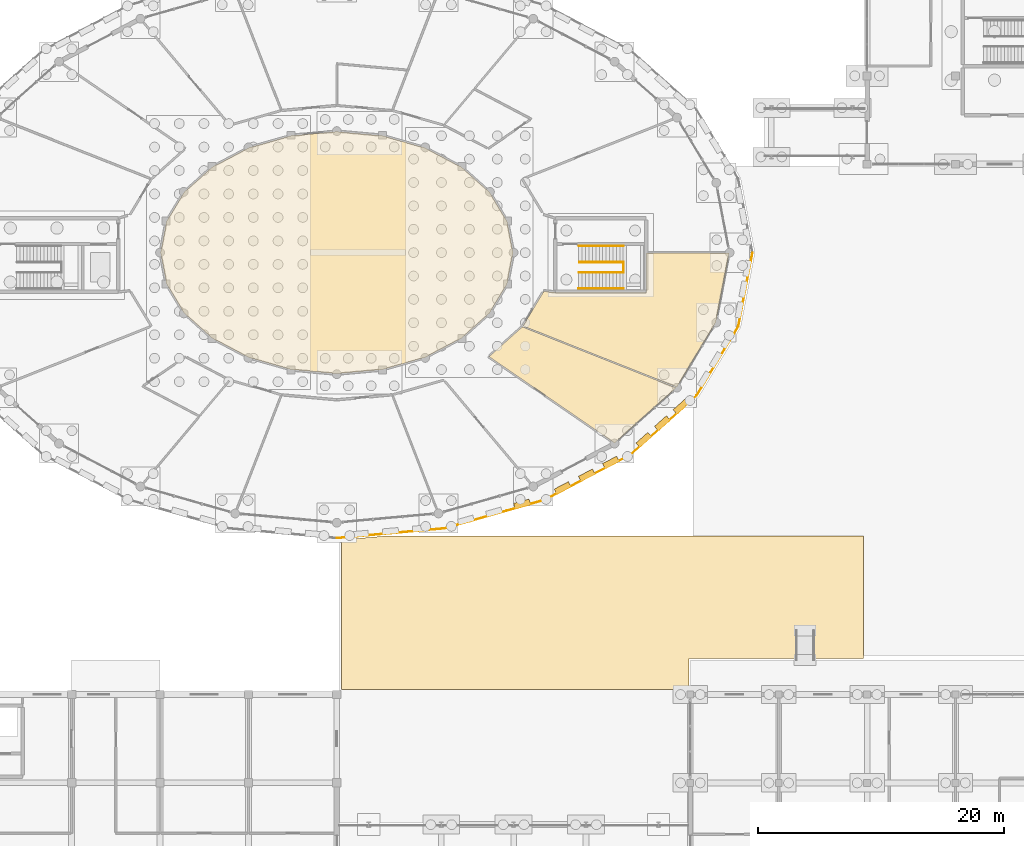
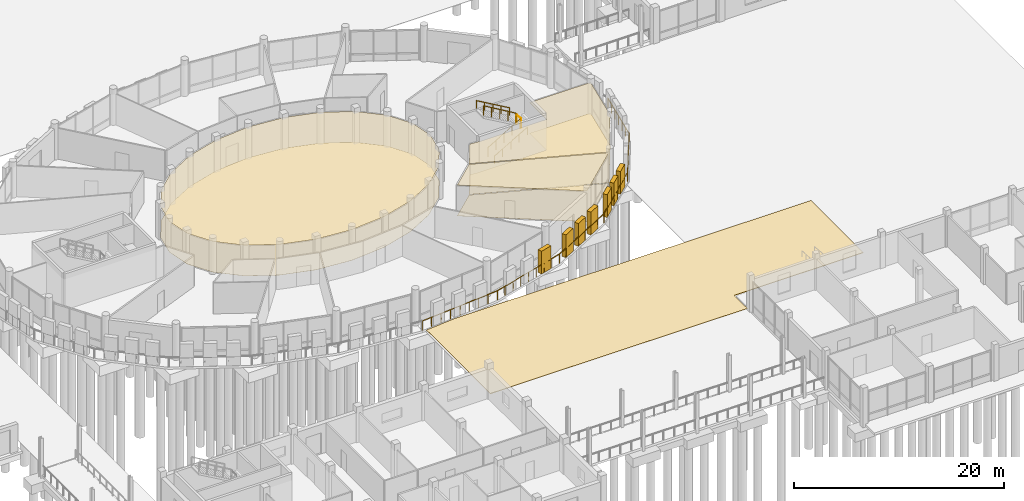
# One storey, part 92 of 98: 7 coverings, 7 shading devices, 6 railings.
"""IFC4 building model written with IfcOpenShell, lengths in metres."""

from ifc_helpers import new_model, si_unit, direction, frame, origin, origin_2d, place, context, subcontext, project, spatial, polyline, rectangle, circle, outline, extrude, material, layer, layer_set, type_object, element, save


model = new_model("IFC4")

# Units and contexts
model_context = context("Model", 3, precision=1e-05, world=origin(), true_north=direction((0.0, 1.0)))
body_context = subcontext(model_context, "Body", "Model", "MODEL_VIEW")
ifc_project = project(units=[si_unit("LENGTHUNIT", "METRE"), si_unit("AREAUNIT", "SQUARE_METRE"), si_unit("VOLUMEUNIT", "CUBIC_METRE"), si_unit("PLANEANGLEUNIT", "RADIAN"), si_unit("MASSUNIT", "GRAM", prefix="KILO")], contexts=[model_context])

# Site, building, storey
site_placement = place(None, origin())
site = spatial("IfcSite", under=ifc_project, at=site_placement, CompositionType="ELEMENT")
building_placement = place(site_placement, origin())
building = spatial("IfcBuilding", under=site, at=building_placement, Name="Zornivar Specialist Clinic", CompositionType="ELEMENT")
storey_placement = place(building_placement, origin())
storey = spatial("IfcBuildingStorey", under=building, at=storey_placement, Name="L00", CompositionType="ELEMENT", Elevation=0.0)

# Coverings
ifc_material_1 = material(Name="Washable Acoustic Mineral Clinical Ceiling")
ifc_layer_1 = layer(ifc_material_1, 0.01806640625)
ifc_layer_set_1 = layer_set([ifc_layer_1], Name="Washable Acoustic Mineral Clinical Ceiling")
covering_type_1 = type_object("IfcCoveringType", Name="COV-CEIL-CLIN-18", PredefinedType="CEILING", material=ifc_layer_set_1)
covering_1_placement = place(storey_placement, frame((0.0, 0.0, 3.572021484375)))
element("IfcCovering", 1, at=covering_1_placement, inside=storey, type_object=covering_type_1, Name="ceil:space:V1:L00:hall", PredefinedType="CEILING", context=body_context, shape_type="SweptSolid", body=[
    extrude(outline(polyline([(107.958984375, 57.60009765625), (107.470947265625, 55.052978515625), (106.0400390625, 52.676025390625), (103.759033203125, 50.633056640625), (100.784912109375, 49.06298828125), (97.320068359375, 48.075927734375), (93.60009765625, 47.739990234375), (89.8798828125, 48.075927734375), (86.4150390625, 49.06298828125), (83.44091796875, 50.633056640625), (81.159912109375, 52.676025390625), (79.72900390625, 55.052978515625), (79.240966796875, 57.60009765625), (79.72900390625, 60.14697265625), (81.159912109375, 62.52392578125), (83.44091796875, 64.56689453125), (86.4150390625, 66.136962890625), (89.8798828125, 67.1240234375), (93.60009765625, 67.4599609375), (97.320068359375, 67.1240234375), (100.784912109375, 66.136962890625), (103.759033203125, 64.56689453125), (106.0400390625, 62.52392578125), (107.470947265625, 60.14697265625), (107.958984375, 57.60009765625)])), origin(), (0.0, 0.0, 1.0), 0.01806640625),
])
covering_2_placement = place(storey_placement, frame((0.0, 0.0, 3.572021484375)))
element("IfcCovering", 2, at=covering_2_placement, inside=storey, type_object=covering_type_1, Name="ceil:space:V1:L00:rm:14", PredefinedType="CEILING", context=body_context, shape_type="SweptSolid", body=[
    extrude(outline(polyline([(121.238037109375, 46.5869140625), (116.22412109375, 42.094970703125), (105.9970703125, 49.1259765625), (108.7119140625, 51.55908203125), (121.238037109375, 46.5869140625)])), origin(), (0.0, 0.0, 1.0), 0.01806640625),
])
covering_3_placement = place(storey_placement, frame((0.0, 0.0, 3.572021484375)))
element("IfcCovering", 3, at=covering_3_placement, inside=storey, type_object=covering_type_1, Name="ceil:space:V1:L00:rm:15", PredefinedType="CEILING", context=body_context, shape_type="SweptSolid", body=[
    extrude(outline(polyline([(110.467041015625, 54.455078125), (111.39794921875, 54.360107421875), (118.840087890625, 54.360107421875), (118.840087890625, 57.56005859375), (125.552001953125, 57.56005859375), (124.471923828125, 51.9208984375), (121.2958984375, 46.64990234375), (108.762939453125, 51.625), (110.467041015625, 54.455078125)])), origin(), (0.0, 0.0, 1.0), 0.01806640625),
])
ifc_material_2 = material(Name="Homogeneous Anti-Static Clinical Vinyl Flooring")
ifc_layer_2 = layer(ifc_material_2, 0.011962890625)
ifc_layer_set_2 = layer_set([ifc_layer_2], Name="Homogeneous Anti-Static Clinical Vinyl Flooring")
covering_type_2 = type_object("IfcCoveringType", Name="COV-FLR-VINYL-12", PredefinedType="FLOORING", material=ifc_layer_set_2)
covering_4_placement = place(storey_placement, origin())
element("IfcCovering", 4, at=covering_4_placement, inside=storey, type_object=covering_type_2, Name="flr:space:V1:L00:hall", PredefinedType="FLOORING", context=body_context, shape_type="SweptSolid", body=[
    extrude(outline(polyline([(107.958984375, 57.60009765625), (107.470947265625, 55.052978515625), (106.0400390625, 52.676025390625), (103.759033203125, 50.633056640625), (100.784912109375, 49.06298828125), (97.320068359375, 48.075927734375), (93.60009765625, 47.739990234375), (89.8798828125, 48.075927734375), (86.4150390625, 49.06298828125), (83.44091796875, 50.633056640625), (81.159912109375, 52.676025390625), (79.72900390625, 55.052978515625), (79.240966796875, 57.60009765625), (79.72900390625, 60.14697265625), (81.159912109375, 62.52392578125), (83.44091796875, 64.56689453125), (86.4150390625, 66.136962890625), (89.8798828125, 67.1240234375), (93.60009765625, 67.4599609375), (97.320068359375, 67.1240234375), (100.784912109375, 66.136962890625), (103.759033203125, 64.56689453125), (106.0400390625, 62.52392578125), (107.470947265625, 60.14697265625), (107.958984375, 57.60009765625)])), origin(), (0.0, 0.0, 1.0), 0.011962890625),
])
covering_5_placement = place(storey_placement, origin())
element("IfcCovering", 5, at=covering_5_placement, inside=storey, type_object=covering_type_2, Name="flr:space:V1:L00:rm:14", PredefinedType="FLOORING", context=body_context, shape_type="SweptSolid", body=[
    extrude(outline(polyline([(121.238037109375, 46.5869140625), (116.22412109375, 42.094970703125), (105.9970703125, 49.1259765625), (108.7119140625, 51.55908203125), (121.238037109375, 46.5869140625)])), origin(), (0.0, 0.0, 1.0), 0.011962890625),
])
covering_6_placement = place(storey_placement, origin())
element("IfcCovering", 6, at=covering_6_placement, inside=storey, type_object=covering_type_2, Name="flr:space:V1:L00:rm:15", PredefinedType="FLOORING", context=body_context, shape_type="SweptSolid", body=[
    extrude(outline(polyline([(110.467041015625, 54.455078125), (111.39794921875, 54.360107421875), (118.840087890625, 54.360107421875), (118.840087890625, 57.56005859375), (125.552001953125, 57.56005859375), (124.471923828125, 51.9208984375), (121.2958984375, 46.64990234375), (108.762939453125, 51.625), (110.467041015625, 54.455078125)])), origin(), (0.0, 0.0, 1.0), 0.011962890625),
])
ifc_material_3 = material(Name="Bush-Hammered Vratsa Limestone Courtyard Paving", Category="masonry")
ifc_layer_3 = layer(ifc_material_3, 0.06005859375)
ifc_layer_set_3 = layer_set([ifc_layer_3], Name="Bush-Hammered Vratsa Limestone Courtyard Paving")
covering_type_3 = type_object("IfcCoveringType", Name="COV-PAVING-STONE-60", PredefinedType="USERDEFINED", material=ifc_layer_set_3)
covering_7_placement = place(storey_placement, frame((0.0, 0.0, -0.06005859375)))
element("IfcCovering", 7, at=covering_7_placement, inside=storey, type_object=covering_type_3, Name="cov:paving:L00:5:drum_east_terrace", ObjectType="PAVING", PredefinedType="USERDEFINED", context=body_context, shape_type="SweptSolid", body=[
    extrude(outline(polyline([(94.0, 34.196044921875), (97.360107421875, 34.5), (136.5, 34.5), (136.5, 24.52001953125), (122.280029296875, 24.52001953125), (122.280029296875, 22.0), (94.0, 22.0), (94.0, 34.196044921875)])), origin(), (0.0, 0.0, 1.0), 0.06005859375),
])

# Railings
ifc_material_4 = material(Name="Painted Steel and Oiled Timber Balustrade", Category="steel")
railing_type_1 = type_object("IfcRailingType", Name="GRD-EXT-BALUST-1100", PredefinedType="BALUSTRADE", material=ifc_material_4)
railing_1_placement = place(storey_placement, frame((93.6298828125, 34.343017578125, 0.0)))
element("IfcRailing", 8, at=railing_1_placement, inside=storey, type_object=railing_type_1, Name="rail:V1:L00:balc:q3", PredefinedType="BALUSTRADE", context=body_context, shape_type="SweptSolid", body=[
    extrude(circle(Radius=0.02392578125, at=origin_2d()), frame((0.0, 0.0, 1.076171875), z_axis=(0.995947380316, 0.089937843218, 0.0), x_axis=(-0.089937843218, 0.995947380316, 0.0)), (0.0, 0.0, 1.0), 8.762451171875),
    extrude(circle(Radius=0.02392578125, at=origin_2d()), frame((8.72705078125, 0.7880859375, 1.076171875), z_axis=(0.961950479971, 0.273223853432, 0.0), x_axis=(-0.273223853432, 0.961950479971, 0.0)), (0.0, 0.0, 1.0), 8.487060546875),
    extrude(circle(Radius=0.02392578125, at=origin_2d()), frame((16.89111328125, 3.10693359375, 1.076171875), z_axis=(0.884811989173, 0.465948220101, 0.0), x_axis=(-0.465948220101, 0.884811989173, 0.0)), (0.0, 0.0, 1.0), 7.92822265625),
    extrude(circle(Radius=0.02392578125, at=origin_2d()), frame((23.906005859375, 6.801025390625, 1.076171875), z_axis=(0.745201542332, 0.666839306959, 0.0), x_axis=(-0.666839306959, 0.745201542332, 0.0)), (0.0, 0.0, 1.0), 7.224853515625),
    extrude(circle(Radius=0.02392578125, at=origin_2d()), frame((29.2900390625, 11.618896484375, 1.076171875), z_axis=(0.516422508188, 0.856333926127, 0.0), x_axis=(-0.856333926127, 0.516422508188, 0.0)), (0.0, 0.0, 1.0), 6.5546875),
    extrude(circle(Radius=0.02392578125, at=origin_2d()), frame((32.675048828125, 17.23193359375, 1.076171875), z_axis=(0.188227386656, 0.982125476155, 0.0), x_axis=(-0.982125476155, 0.188227386656, 0.0)), (0.0, 0.0, 1.0), 6.105224609375),
    extrude(circle(Radius=0.02099609375, at=origin_2d()), origin(), (0.0, 0.0, 1.0), 1.052001953125),
    extrude(circle(Radius=0.02099609375, at=origin_2d()), frame((1.0908203125, 0.0986328125, 0.0)), (0.0, 0.0, 1.0), 1.052001953125),
    extrude(circle(Radius=0.02099609375, at=origin_2d()), frame((2.181640625, 0.197021484375, 0.0)), (0.0, 0.0, 1.0), 1.052001953125),
    extrude(circle(Radius=0.02099609375, at=origin_2d()), frame((3.272705078125, 0.29541015625, 0.0)), (0.0, 0.0, 1.0), 1.052001953125),
    extrude(circle(Radius=0.02099609375, at=origin_2d()), frame((4.363525390625, 0.39404296875, 0.0)), (0.0, 0.0, 1.0), 1.052001953125),
    extrude(circle(Radius=0.02099609375, at=origin_2d()), frame((5.454345703125, 0.49267578125, 0.0)), (0.0, 0.0, 1.0), 1.052001953125),
    extrude(circle(Radius=0.02099609375, at=origin_2d()), frame((6.54541015625, 0.591064453125, 0.0)), (0.0, 0.0, 1.0), 1.052001953125),
    extrude(circle(Radius=0.02099609375, at=origin_2d()), frame((7.63623046875, 0.689453125, 0.0)), (0.0, 0.0, 1.0), 1.052001953125),
    extrude(circle(Radius=0.02099609375, at=origin_2d()), frame((8.72705078125, 0.7880859375, 0.0)), (0.0, 0.0, 1.0), 1.052001953125),
    extrude(circle(Radius=0.02099609375, at=origin_2d()), frame((9.74755859375, 1.077880859375, 0.0)), (0.0, 0.0, 1.0), 1.052001953125),
    extrude(circle(Radius=0.02099609375, at=origin_2d()), frame((10.76806640625, 1.36767578125, 0.0)), (0.0, 0.0, 1.0), 1.052001953125),
    extrude(circle(Radius=0.02099609375, at=origin_2d()), frame((11.78857421875, 1.65771484375, 0.0)), (0.0, 0.0, 1.0), 1.052001953125),
    extrude(circle(Radius=0.02099609375, at=origin_2d()), frame((12.80908203125, 1.947509765625, 0.0)), (0.0, 0.0, 1.0), 1.052001953125),
    extrude(circle(Radius=0.02099609375, at=origin_2d()), frame((13.82958984375, 2.2373046875, 0.0)), (0.0, 0.0, 1.0), 1.052001953125),
    extrude(circle(Radius=0.02099609375, at=origin_2d()), frame((14.85009765625, 2.52734375, 0.0)), (0.0, 0.0, 1.0), 1.052001953125),
    extrude(circle(Radius=0.02099609375, at=origin_2d()), frame((15.87060546875, 2.817138671875, 0.0)), (0.0, 0.0, 1.0), 1.052001953125),
    extrude(circle(Radius=0.02099609375, at=origin_2d()), frame((16.89111328125, 3.10693359375, 0.0)), (0.0, 0.0, 1.0), 1.052001953125),
    extrude(circle(Radius=0.02099609375, at=origin_2d()), frame((17.893310546875, 3.634765625, 0.0)), (0.0, 0.0, 1.0), 1.052001953125),
    extrude(circle(Radius=0.02099609375, at=origin_2d()), frame((18.895263671875, 4.162353515625, 0.0)), (0.0, 0.0, 1.0), 1.052001953125),
    extrude(circle(Radius=0.02099609375, at=origin_2d()), frame((19.8974609375, 4.690185546875, 0.0)), (0.0, 0.0, 1.0), 1.052001953125),
    extrude(circle(Radius=0.02099609375, at=origin_2d()), frame((20.899658203125, 5.2177734375, 0.0)), (0.0, 0.0, 1.0), 1.052001953125),
    extrude(circle(Radius=0.02099609375, at=origin_2d()), frame((21.90185546875, 5.74560546875, 0.0)), (0.0, 0.0, 1.0), 1.052001953125),
    extrude(circle(Radius=0.02099609375, at=origin_2d()), frame((22.90380859375, 6.273193359375, 0.0)), (0.0, 0.0, 1.0), 1.052001953125),
    extrude(circle(Radius=0.02099609375, at=origin_2d()), frame((23.906005859375, 6.801025390625, 0.0)), (0.0, 0.0, 1.0), 1.052001953125),
    extrude(circle(Radius=0.02099609375, at=origin_2d()), frame((24.675048828125, 7.4892578125, 0.0)), (0.0, 0.0, 1.0), 1.052001953125),
    extrude(circle(Radius=0.02099609375, at=origin_2d()), frame((25.4443359375, 8.177490234375, 0.0)), (0.0, 0.0, 1.0), 1.052001953125),
    extrude(circle(Radius=0.02099609375, at=origin_2d()), frame((26.21337890625, 8.86572265625, 0.0)), (0.0, 0.0, 1.0), 1.052001953125),
    extrude(circle(Radius=0.02099609375, at=origin_2d()), frame((26.982666015625, 9.55419921875, 0.0)), (0.0, 0.0, 1.0), 1.052001953125),
    extrude(circle(Radius=0.02099609375, at=origin_2d()), frame((27.751708984375, 10.242431640625, 0.0)), (0.0, 0.0, 1.0), 1.052001953125),
    extrude(circle(Radius=0.02099609375, at=origin_2d()), frame((28.52099609375, 10.9306640625, 0.0)), (0.0, 0.0, 1.0), 1.052001953125),
    extrude(circle(Radius=0.02099609375, at=origin_2d()), frame((29.2900390625, 11.618896484375, 0.0)), (0.0, 0.0, 1.0), 1.052001953125),
    extrude(circle(Radius=0.02099609375, at=origin_2d()), frame((29.854248046875, 12.554443359375, 0.0)), (0.0, 0.0, 1.0), 1.052001953125),
    extrude(circle(Radius=0.02099609375, at=origin_2d()), frame((30.41845703125, 13.489990234375, 0.0)), (0.0, 0.0, 1.0), 1.052001953125),
    extrude(circle(Radius=0.02099609375, at=origin_2d()), frame((30.982421875, 14.42529296875, 0.0)), (0.0, 0.0, 1.0), 1.052001953125),
    extrude(circle(Radius=0.02099609375, at=origin_2d()), frame((31.546630859375, 15.36083984375, 0.0)), (0.0, 0.0, 1.0), 1.052001953125),
    extrude(circle(Radius=0.02099609375, at=origin_2d()), frame((32.11083984375, 16.29638671875, 0.0)), (0.0, 0.0, 1.0), 1.052001953125),
    extrude(circle(Radius=0.02099609375, at=origin_2d()), frame((32.675048828125, 17.23193359375, 0.0)), (0.0, 0.0, 1.0), 1.052001953125),
    extrude(circle(Radius=0.02099609375, at=origin_2d()), frame((32.86669921875, 18.231201171875, 0.0)), (0.0, 0.0, 1.0), 1.052001953125),
    extrude(circle(Radius=0.02099609375, at=origin_2d()), frame((33.05810546875, 19.230712890625, 0.0)), (0.0, 0.0, 1.0), 1.052001953125),
    extrude(circle(Radius=0.02099609375, at=origin_2d()), frame((33.24951171875, 20.22998046875, 0.0)), (0.0, 0.0, 1.0), 1.052001953125),
    extrude(circle(Radius=0.02099609375, at=origin_2d()), frame((33.441162109375, 21.229248046875, 0.0)), (0.0, 0.0, 1.0), 1.052001953125),
    extrude(circle(Radius=0.02099609375, at=origin_2d()), frame((33.6328125, 22.228759765625, 0.0)), (0.0, 0.0, 1.0), 1.052001953125),
    extrude(circle(Radius=0.02099609375, at=origin_2d()), frame((33.82421875, 23.22802734375, 0.0)), (0.0, 0.0, 1.0), 1.052001953125),
])
ifc_material_5 = material(Name="Brushed Stainless Steel Stair Guardrail", Category="steel")
railing_type_2 = type_object("IfcRailingType", Name="GRD-INT-STAIR-1100", PredefinedType="GUARDRAIL", material=ifc_material_5)
railing_2_placement = place(storey_placement, frame((113.340087890625, 55.97998046875, 0.160888671875)))
element("IfcRailing", 9, at=railing_2_placement, inside=storey, type_object=railing_type_2, Name="stair:C4:L00:grd1", PredefinedType="GUARDRAIL", context=body_context, shape_type="SweptSolid", body=[
    extrude(circle(Radius=0.02392578125, at=origin_2d()), frame((0.0, 0.0, 1.076171875), z_axis=(0.862452268954, 0.0, 0.506138403775), x_axis=(0.0, 1.0, 0.0)), (0.0, 0.0, 1.0), 4.12744140625),
    extrude(circle(Radius=0.02099609375, at=origin_2d()), origin(), (0.0, 0.0, 1.0), 1.052001953125),
    extrude(circle(Radius=0.02099609375, at=origin_2d()), frame((0.889892578125, 0.0, 0.522216796875)), (0.0, 0.0, 1.0), 1.052001953125),
    extrude(circle(Radius=0.02099609375, at=origin_2d()), frame((1.77978515625, 0.0, 1.04443359375)), (0.0, 0.0, 1.0), 1.052001953125),
    extrude(circle(Radius=0.02099609375, at=origin_2d()), frame((2.669921875, 0.0, 1.56689453125)), (0.0, 0.0, 1.0), 1.052001953125),
    extrude(circle(Radius=0.02099609375, at=origin_2d()), frame((3.559814453125, 0.0, 2.089111328125)), (0.0, 0.0, 1.0), 1.052001953125),
])
railing_3_placement = place(storey_placement, frame((116.89990234375, 56.820068359375, 2.410888671875)))
element("IfcRailing", 10, at=railing_3_placement, inside=storey, type_object=railing_type_2, Name="stair:C4:L00:grd2", PredefinedType="GUARDRAIL", context=body_context, shape_type="SweptSolid", body=[
    extrude(circle(Radius=0.02392578125, at=origin_2d()), frame((0.0, 0.0, 1.076171875), z_axis=(-0.861201921892, 0.0, 0.508262973007), x_axis=(0.0, -1.0, 0.0)), (0.0, 0.0, 1.0), 4.1103515625),
    extrude(circle(Radius=0.02099609375, at=origin_2d()), origin(), (0.0, 0.0, 1.0), 1.052001953125),
    extrude(circle(Radius=0.02099609375, at=origin_2d()), frame((-0.885009765625, 0.0, 0.522216796875)), (0.0, 0.0, 1.0), 1.052001953125),
    extrude(circle(Radius=0.02099609375, at=origin_2d()), frame((-1.77001953125, 0.0, 1.04443359375)), (0.0, 0.0, 1.0), 1.052001953125),
    extrude(circle(Radius=0.02099609375, at=origin_2d()), frame((-2.65478515625, 0.0, 1.56689453125)), (0.0, 0.0, 1.0), 1.052001953125),
    extrude(circle(Radius=0.02099609375, at=origin_2d()), frame((-3.539794921875, 0.0, 2.089111328125)), (0.0, 0.0, 1.0), 1.052001953125),
])
railing_4_placement = place(storey_placement, frame((116.969970703125, 55.97998046875, 2.25)))
element("IfcRailing", 11, at=railing_4_placement, inside=storey, type_object=railing_type_2, Name="stair:C4:L00:grdl", PredefinedType="GUARDRAIL", context=body_context, shape_type="SweptSolid", body=[
    extrude(circle(Radius=0.02392578125, at=origin_2d()), frame((0.0, 0.0, 1.076171875), z_axis=(0.0, 1.0, 0.0), x_axis=(-1.0, 0.0, 0.0)), (0.0, 0.0, 1.0), 0.840087890625),
    extrude(circle(Radius=0.02099609375, at=origin_2d()), origin(), (0.0, 0.0, 1.0), 1.052001953125),
    extrude(circle(Radius=0.02099609375, at=origin_2d()), frame((0.0, 0.840087890625, 0.0)), (0.0, 0.0, 1.0), 1.052001953125),
])
ifc_material_6 = material(Name="Brushed Stainless Steel Continuous Handrail", Category="steel")
railing_type_3 = type_object("IfcRailingType", Name="HRL-STAIR-0920", PredefinedType="HANDRAIL", material=ifc_material_6)
railing_5_placement = place(storey_placement, frame((113.300048828125, 54.669921875, 0.160888671875)))
element("IfcRailing", 12, at=railing_5_placement, inside=storey, type_object=railing_type_3, Name="stair:C4:L00:hr1", PredefinedType="HANDRAIL", context=body_context, shape_type="SweptSolid", body=[
    extrude(circle(Radius=0.02392578125, at=origin_2d()), frame((0.0, 0.0, 0.89599609375), z_axis=(0.867300072446, 0.0, 0.497785681127), x_axis=(0.0, 1.0, 0.0)), (0.0, 0.0, 1.0), 4.19677734375),
    extrude(circle(Radius=0.02099609375, at=origin_2d()), origin(), (0.0, 0.0, 1.0), 0.871826171875),
    extrude(circle(Radius=0.02099609375, at=origin_2d()), frame((0.909912109375, 0.0, 0.522216796875)), (0.0, 0.0, 1.0), 0.871826171875),
    extrude(circle(Radius=0.02099609375, at=origin_2d()), frame((1.81982421875, 0.0, 1.04443359375)), (0.0, 0.0, 1.0), 0.871826171875),
    extrude(circle(Radius=0.02099609375, at=origin_2d()), frame((2.72998046875, 0.0, 1.56689453125)), (0.0, 0.0, 1.0), 0.871826171875),
    extrude(circle(Radius=0.02099609375, at=origin_2d()), frame((3.639892578125, 0.0, 2.089111328125)), (0.0, 0.0, 1.0), 0.871826171875),
])
railing_6_placement = place(storey_placement, frame((116.93994140625, 58.1298828125, 2.410888671875)))
element("IfcRailing", 13, at=railing_6_placement, inside=storey, type_object=railing_type_3, Name="stair:C4:L00:hr2", PredefinedType="HANDRAIL", context=body_context, shape_type="SweptSolid", body=[
    extrude(circle(Radius=0.02392578125, at=origin_2d()), frame((0.0, 0.0, 0.89599609375), z_axis=(-0.866110694346, 0.0, 0.499852243307), x_axis=(0.0, -1.0, 0.0)), (0.0, 0.0, 1.0), 4.179443359375),
    extrude(circle(Radius=0.02099609375, at=origin_2d()), origin(), (0.0, 0.0, 1.0), 0.871826171875),
    extrude(circle(Radius=0.02099609375, at=origin_2d()), frame((-0.905029296875, 0.0, 0.522216796875)), (0.0, 0.0, 1.0), 0.871826171875),
    extrude(circle(Radius=0.02099609375, at=origin_2d()), frame((-1.81005859375, 0.0, 1.04443359375)), (0.0, 0.0, 1.0), 0.871826171875),
    extrude(circle(Radius=0.02099609375, at=origin_2d()), frame((-2.71484375, 0.0, 1.56689453125)), (0.0, 0.0, 1.0), 0.871826171875),
    extrude(circle(Radius=0.02099609375, at=origin_2d()), frame((-3.619873046875, 0.0, 2.089111328125)), (0.0, 0.0, 1.0), 0.871826171875),
])

# Shading devices
ifc_material_7 = material(Name="Oiled European Larch Timber Louvre Shutter", Category="wood")
shading_device_type = type_object("IfcShadingDeviceType", Name="SHD-DRUM-SHUTTER-450", PredefinedType="SHUTTER", material=ifc_material_7)
for number, where, z_axis, x_axis, name in (
    (14, (108.69189453125, 37.132080078125, 0.0), (0.0, 0.0, 1.0), (0.961785255901, 0.273804896838, 0.0), "shutter:V1:L00:c19:2"),
    (15, (111.989013671875, 38.43994140625, 0.0), (0.0, 0.0, 1.0), (0.884469914632, 0.466597224713, 0.0), "shutter:V1:L00:c20:0"),
    (16, (113.9560546875, 39.47802734375, 0.0), (0.0, 0.0, 1.0), (0.884469914632, 0.466597224713, 0.0), "shutter:V1:L00:c20:1"),
    (17, (115.923095703125, 40.51611328125, 0.0), (0.0, 0.0, 1.0), (0.884469914632, 0.466597224713, 0.0), "shutter:V1:L00:c20:2"),
    (18, (118.60400390625, 42.35888671875, 0.0), (0.0, 0.0, 1.0), (0.744796712128, 0.667291433785, 0.0), "shutter:V1:L00:c21:0"),
    (19, (120.114013671875, 43.7109375, 0.0), (0.0, 0.0, 1.0), (0.744796712128, 0.667291433785, 0.0), "shutter:V1:L00:c21:1"),
    (20, (121.623046875, 45.06396484375, 0.0), (0.0, 0.0, 1.0), (0.744796712128, 0.667291433785, 0.0), "shutter:V1:L00:c21:2"),
):
    element("IfcShadingDevice", number, at=place(storey_placement, frame(where, z_axis=z_axis, x_axis=x_axis)), inside=storey, type_object=shading_device_type, Name=name, PredefinedType="SHUTTER", context=body_context, shape_type="SweptSolid", body=[
        extrude(rectangle(XDim=1.300048828125, YDim=0.449951171875, at=origin_2d()), origin(), (0.0, 0.0, 1.0), 2.64990234375),
    ])

save(model, "model.ifc")
